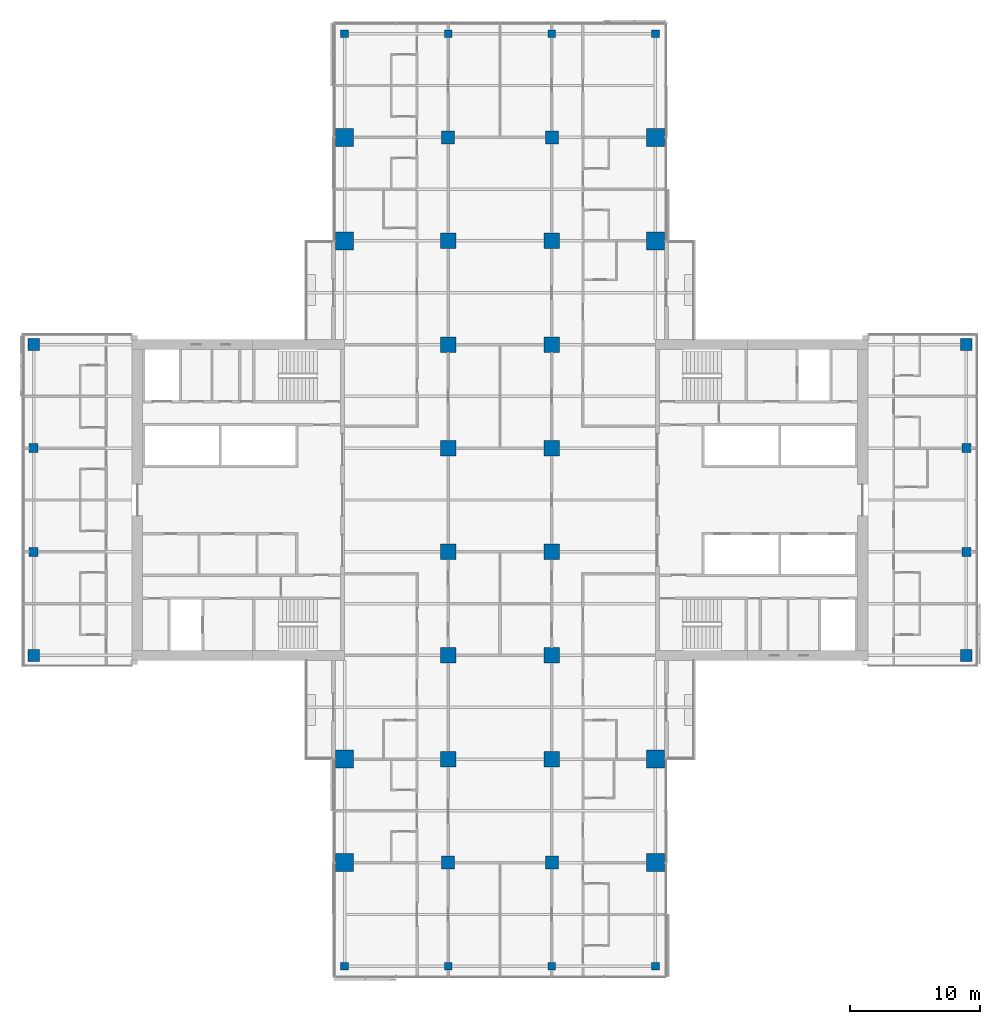
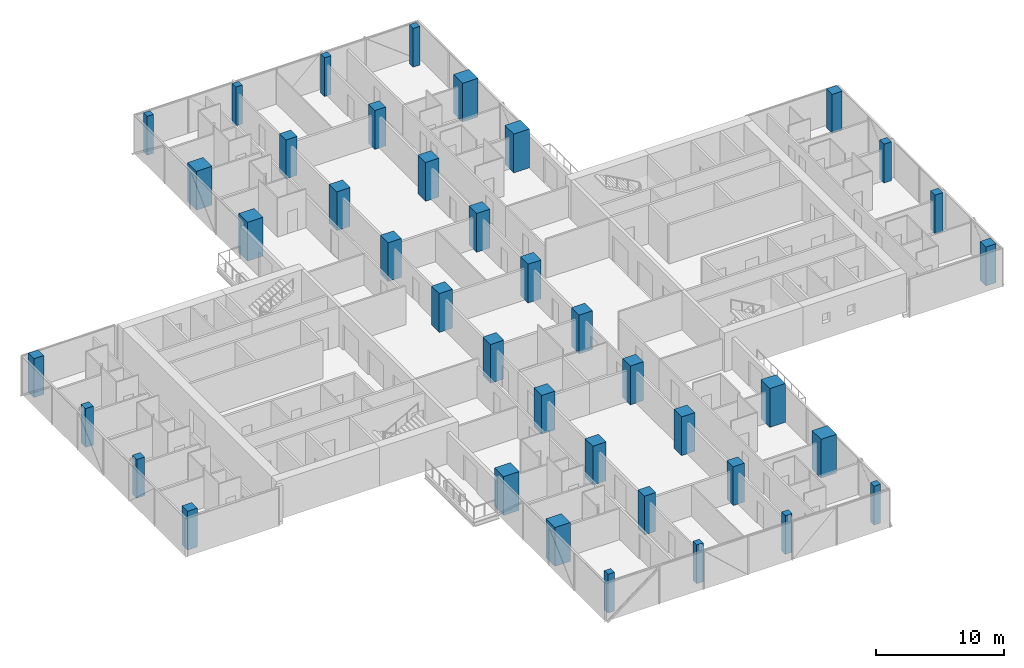
# One storey, part 1 of 27: 40 columns.
"""IFC4 building model written with IfcOpenShell, lengths in metres."""

from ifc_helpers import new_model, si_unit, direction, frame, origin, origin_2d, place, context, subcontext, project, spatial, rectangle, extrude, material, material_profile, profile_set, type_object, element, save


model = new_model("IFC4")

# Units and contexts
model_context = context("Model", 3, precision=1e-05, world=origin(), true_north=direction((0.0, 1.0)))
body_context = subcontext(model_context, "Body", "Model", "MODEL_VIEW")
ifc_project = project(units=[si_unit("LENGTHUNIT", "METRE"), si_unit("AREAUNIT", "SQUARE_METRE"), si_unit("VOLUMEUNIT", "CUBIC_METRE"), si_unit("PLANEANGLEUNIT", "RADIAN"), si_unit("MASSUNIT", "GRAM", prefix="KILO")], contexts=[model_context])

# Site, building, storey
site_placement = place(None, origin())
site = spatial("IfcSite", under=ifc_project, at=site_placement, CompositionType="ELEMENT")
building_placement = place(site_placement, origin())
building = spatial("IfcBuilding", under=site, at=building_placement, Name="Crosswind Convention Tower", CompositionType="ELEMENT")
storey_placement = place(building_placement, frame((0.0, 0.0, 72.0)))
storey = spatial("IfcBuildingStorey", under=building, at=storey_placement, Name="L12", CompositionType="ELEMENT", Elevation=72.0)

# Columns
ifc_material_1 = material(Name="Concrete C70/85", Category="concrete")
ifc_material_profile_1 = material_profile(ifc_material_1, rectangle(XDim=1.0, YDim=1.0, at=origin_2d()), Name="RC 1000X1000")
ifc_profile_set_1 = profile_set([ifc_material_profile_1], Name="Concrete C70/85")
column_type_1 = type_object("IfcColumnType", Name="Column RC 1000X1000", PredefinedType="COLUMN", material=ifc_profile_set_1)
for number, where, z_axis, x_axis, name in (
    (1, (121.0, 72.0, 0.0), (0.0, 0.0, 1.0), (1.0, 0.0, 0.0), "C12 L12 6/C"),
    (2, (121.0, 128.0, 0.0), (0.0, 0.0, 1.0), (1.0, 0.0, 0.0), "C12 L12 6/J"),
    (3, (129.0, 72.0, 0.0), (0.0, 0.0, 1.0), (1.0, 0.0, 0.0), "C12 L12 7/C"),
    (4, (129.0, 128.0, 0.0), (0.0, 0.0, 1.0), (1.0, 0.0, 0.0), "C12 L12 7/J"),
):
    element("IfcColumn", number, at=place(storey_placement, frame(where, z_axis=z_axis, x_axis=x_axis)), inside=storey, type_object=column_type_1, Name=name, PredefinedType="COLUMN", context=body_context, shape_type="SweptSolid", body=[
        extrude(rectangle(XDim=1.0, YDim=1.0, at=origin_2d()), origin(), (0.0, 0.0, 1.0), 3.699951171875),
    ])
ifc_material_profile_2 = material_profile(ifc_material_1, rectangle(XDim=1.199951171875, YDim=1.199951171875, at=origin_2d()), Name="RC 1200X1200")
ifc_profile_set_2 = profile_set([ifc_material_profile_2], Name="Concrete C70/85")
column_type_2 = type_object("IfcColumnType", Name="Column RC 1200X1200", PredefinedType="COLUMN", material=ifc_profile_set_2)
for number, where, z_axis, x_axis, name in (
    (5, (121.0, 80.0, 0.0), (0.0, 0.0, 1.0), (1.0, 0.0, 0.0), "C11 L12 6/D"),
    (6, (121.0, 88.0, 0.0), (0.0, 0.0, 1.0), (1.0, 0.0, 0.0), "C11 L12 6/E"),
    (7, (121.0, 96.0, 0.0), (0.0, 0.0, 1.0), (1.0, 0.0, 0.0), "C11 L12 6/F"),
    (8, (121.0, 104.0, 0.0), (0.0, 0.0, 1.0), (1.0, 0.0, 0.0), "C11 L12 6/G"),
    (9, (121.0, 112.0, 0.0), (0.0, 0.0, 1.0), (1.0, 0.0, 0.0), "C11 L12 6/H"),
    (10, (121.0, 120.0, 0.0), (0.0, 0.0, 1.0), (1.0, 0.0, 0.0), "C11 L12 6/I"),
    (11, (129.0, 80.0, 0.0), (0.0, 0.0, 1.0), (1.0, 0.0, 0.0), "C11 L12 7/D"),
    (12, (129.0, 88.0, 0.0), (0.0, 0.0, 1.0), (1.0, 0.0, 0.0), "C11 L12 7/E"),
    (13, (129.0, 96.0, 0.0), (0.0, 0.0, 1.0), (1.0, 0.0, 0.0), "C11 L12 7/F"),
    (14, (129.0, 104.0, 0.0), (0.0, 0.0, 1.0), (1.0, 0.0, 0.0), "C11 L12 7/G"),
    (15, (129.0, 112.0, 0.0), (0.0, 0.0, 1.0), (1.0, 0.0, 0.0), "C11 L12 7/H"),
    (16, (129.0, 120.0, 0.0), (0.0, 0.0, 1.0), (1.0, 0.0, 0.0), "C11 L12 7/I"),
):
    element("IfcColumn", number, at=place(storey_placement, frame(where, z_axis=z_axis, x_axis=x_axis)), inside=storey, type_object=column_type_2, Name=name, PredefinedType="COLUMN", context=body_context, shape_type="SweptSolid", body=[
        extrude(rectangle(XDim=1.199951171875, YDim=1.199951171875, at=origin_2d()), origin(), (0.0, 0.0, 1.0), 3.699951171875),
    ])
ifc_material_2 = material(Name="Concrete C80/95", Category="concrete")
ifc_material_profile_3 = material_profile(ifc_material_2, rectangle(XDim=1.39990234375, YDim=1.39990234375, at=origin_2d()), Name="RC 1400X1400")
ifc_profile_set_3 = profile_set([ifc_material_profile_3], Name="Concrete C80/95")
column_type_3 = type_object("IfcColumnType", Name="Column RC 1400X1400", PredefinedType="COLUMN", material=ifc_profile_set_3)
for number, where, z_axis, x_axis, name in (
    (17, (113.0, 72.0, 0.0), (0.0, 0.0, 1.0), (1.0, 0.0, 0.0), "C10 L12 5/C"),
    (18, (113.0, 80.0, 0.0), (0.0, 0.0, 1.0), (1.0, 0.0, 0.0), "C10 L12 5/D"),
    (19, (113.0, 120.0, 0.0), (0.0, 0.0, 1.0), (1.0, 0.0, 0.0), "C10 L12 5/I"),
    (20, (113.0, 128.0, 0.0), (0.0, 0.0, 1.0), (1.0, 0.0, 0.0), "C10 L12 5/J"),
    (21, (137.0, 72.0, 0.0), (0.0, 0.0, 1.0), (1.0, 0.0, 0.0), "C10 L12 8/C"),
    (22, (137.0, 80.0, 0.0), (0.0, 0.0, 1.0), (1.0, 0.0, 0.0), "C10 L12 8/D"),
    (23, (137.0, 120.0, 0.0), (0.0, 0.0, 1.0), (1.0, 0.0, 0.0), "C10 L12 8/I"),
    (24, (137.0, 128.0, 0.0), (0.0, 0.0, 1.0), (1.0, 0.0, 0.0), "C10 L12 8/J"),
):
    element("IfcColumn", number, at=place(storey_placement, frame(where, z_axis=z_axis, x_axis=x_axis)), inside=storey, type_object=column_type_3, Name=name, PredefinedType="COLUMN", context=body_context, shape_type="SweptSolid", body=[
        extrude(rectangle(XDim=1.39990234375, YDim=1.39990234375, at=origin_2d()), origin(), (0.0, 0.0, 1.0), 3.699951171875),
    ])
ifc_material_3 = material(Name="Concrete C60/75", Category="concrete")
ifc_material_profile_4 = material_profile(ifc_material_3, rectangle(XDim=0.60009765625, YDim=0.60009765625, at=origin_2d()), Name="RC 600X600")
ifc_profile_set_4 = profile_set([ifc_material_profile_4], Name="Concrete C60/75")
column_type_4 = type_object("IfcColumnType", Name="Column RC 600X600", PredefinedType="COLUMN", material=ifc_profile_set_4)
for number, where, z_axis, x_axis, name in (
    (25, (113.0, 64.0, 0.0), (0.0, 0.0, 1.0), (1.0, 0.0, 0.0), "C16 L12 5/B"),
    (26, (113.0, 136.0, 0.0), (0.0, 0.0, 1.0), (1.0, 0.0, 0.0), "C16 L12 5/K"),
    (27, (121.0, 64.0, 0.0), (0.0, 0.0, 1.0), (1.0, 0.0, 0.0), "C16 L12 6/B"),
    (28, (121.0, 136.0, 0.0), (0.0, 0.0, 1.0), (1.0, 0.0, 0.0), "C16 L12 6/K"),
    (29, (129.0, 64.0, 0.0), (0.0, 0.0, 1.0), (1.0, 0.0, 0.0), "C16 L12 7/B"),
    (30, (129.0, 136.0, 0.0), (0.0, 0.0, 1.0), (1.0, 0.0, 0.0), "C16 L12 7/K"),
    (31, (137.0, 64.0, 0.0), (0.0, 0.0, 1.0), (1.0, 0.0, 0.0), "C16 L12 8/B"),
    (32, (137.0, 136.0, 0.0), (0.0, 0.0, 1.0), (1.0, 0.0, 0.0), "C16 L12 8/K"),
):
    element("IfcColumn", number, at=place(storey_placement, frame(where, z_axis=z_axis, x_axis=x_axis)), inside=storey, type_object=column_type_4, Name=name, PredefinedType="COLUMN", context=body_context, shape_type="SweptSolid", body=[
        extrude(rectangle(XDim=0.60009765625, YDim=0.60009765625, at=origin_2d()), origin(), (0.0, 0.0, 1.0), 3.699951171875),
    ])
ifc_material_profile_5 = material_profile(ifc_material_3, rectangle(XDim=0.699951171875, YDim=0.699951171875, at=origin_2d()), Name="RC 700X700")
ifc_profile_set_5 = profile_set([ifc_material_profile_5], Name="Concrete C60/75")
column_type_5 = type_object("IfcColumnType", Name="Column RC 700X700", PredefinedType="COLUMN", material=ifc_profile_set_5)
for number, where, z_axis, x_axis, name in (
    (33, (89.0, 96.0, 0.0), (0.0, 0.0, 1.0), (1.0, 0.0, 0.0), "C15 L12 2/F"),
    (34, (89.0, 104.0, 0.0), (0.0, 0.0, 1.0), (1.0, 0.0, 0.0), "C15 L12 2/G"),
    (35, (161.0, 96.0, 0.0), (0.0, 0.0, 1.0), (1.0, 0.0, 0.0), "C15 L12 11/F"),
    (36, (161.0, 104.0, 0.0), (0.0, 0.0, 1.0), (1.0, 0.0, 0.0), "C15 L12 11/G"),
):
    element("IfcColumn", number, at=place(storey_placement, frame(where, z_axis=z_axis, x_axis=x_axis)), inside=storey, type_object=column_type_5, Name=name, PredefinedType="COLUMN", context=body_context, shape_type="SweptSolid", body=[
        extrude(rectangle(XDim=0.699951171875, YDim=0.699951171875, at=origin_2d()), origin(), (0.0, 0.0, 1.0), 3.699951171875),
    ])
ifc_material_profile_6 = material_profile(ifc_material_3, rectangle(XDim=0.89990234375, YDim=0.89990234375, at=origin_2d()), Name="RC 900X900")
ifc_profile_set_6 = profile_set([ifc_material_profile_6], Name="Concrete C60/75")
column_type_6 = type_object("IfcColumnType", Name="Column RC 900X900", PredefinedType="COLUMN", material=ifc_profile_set_6)
for number, where, z_axis, x_axis, name in (
    (37, (89.0, 88.0, 0.0), (0.0, 0.0, 1.0), (1.0, 0.0, 0.0), "C13 L12 2/E"),
    (38, (89.0, 112.0, 0.0), (0.0, 0.0, 1.0), (1.0, 0.0, 0.0), "C13 L12 2/H"),
    (39, (161.0, 88.0, 0.0), (0.0, 0.0, 1.0), (1.0, 0.0, 0.0), "C13 L12 11/E"),
    (40, (161.0, 112.0, 0.0), (0.0, 0.0, 1.0), (1.0, 0.0, 0.0), "C13 L12 11/H"),
):
    element("IfcColumn", number, at=place(storey_placement, frame(where, z_axis=z_axis, x_axis=x_axis)), inside=storey, type_object=column_type_6, Name=name, PredefinedType="COLUMN", context=body_context, shape_type="SweptSolid", body=[
        extrude(rectangle(XDim=0.89990234375, YDim=0.89990234375, at=origin_2d()), origin(), (0.0, 0.0, 1.0), 3.699951171875),
    ])

save(model, "model.ifc")
